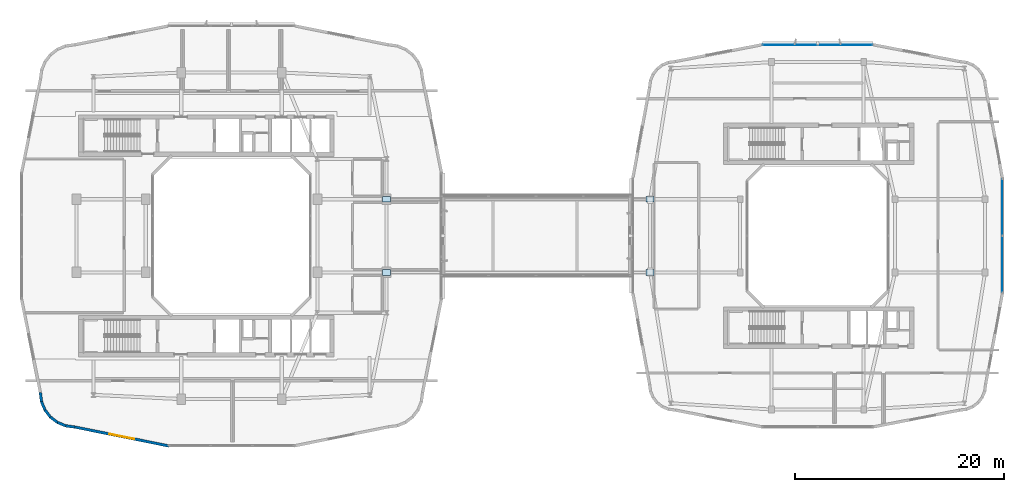
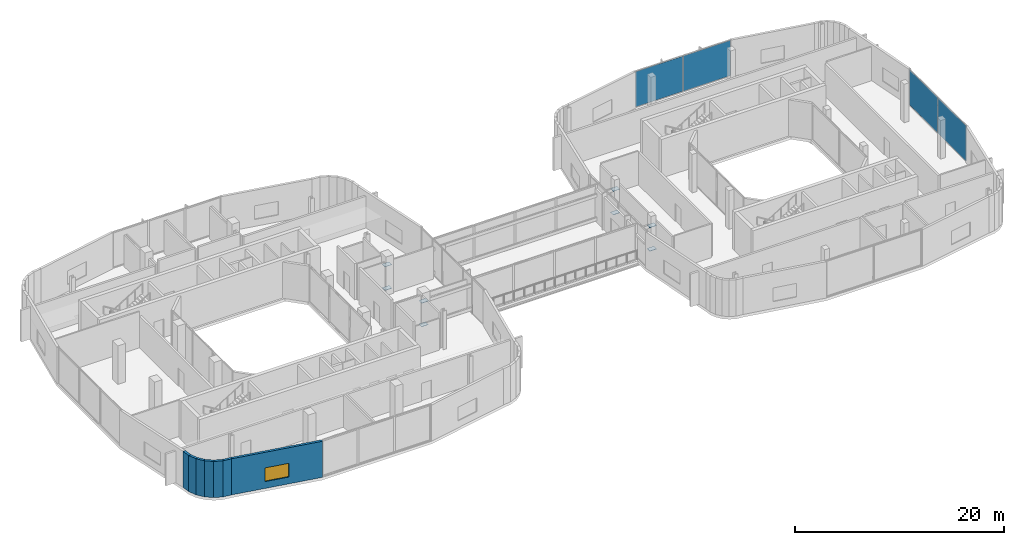
# One storey, part 13 of 24: 12 plates, 7 walls, 1 window, 1 opening, 2 elements without a shape of their own.
"""IFC4 building model written with IfcOpenShell, lengths in metres."""

from ifc_helpers import new_model, si_unit, derived_unit, direction, frame, frame_2d, origin, origin_2d, place, context, subcontext, project, spatial, rectangle, extrude, material, layer, layer_set, type_object, element, fill, aggregate, save


model = new_model("IFC4")

# Units and contexts
model_context = context("Model", 3, precision=1e-05, world=origin(), true_north=direction((0.0, 1.0)))
body_context = subcontext(model_context, "Body", "Model", "MODEL_VIEW")
ifc_project = project(units=[si_unit("LENGTHUNIT", "METRE"), si_unit("AREAUNIT", "SQUARE_METRE"), si_unit("VOLUMEUNIT", "CUBIC_METRE"), si_unit("PLANEANGLEUNIT", "RADIAN"), si_unit("MASSUNIT", "GRAM", prefix="KILO"), derived_unit("THERMALTRANSMITTANCEUNIT", [(si_unit("POWERUNIT", "WATT"), 1), (si_unit("LENGTHUNIT", "METRE"), -2), (si_unit("THERMODYNAMICTEMPERATUREUNIT", "KELVIN"), -1)])], contexts=[model_context])

# Site, building, storey
site_placement = place(None, origin())
site = spatial("IfcSite", under=ifc_project, at=site_placement, CompositionType="ELEMENT")
building_placement = place(site_placement, origin())
building = spatial("IfcBuilding", under=site, at=building_placement, Name="Kivonza Crest Hotel", CompositionType="ELEMENT")
storey_placement = place(building_placement, frame((0.0, 0.0, 119.5)))
storey = spatial("IfcBuildingStorey", under=building, at=storey_placement, Name="L32", CompositionType="ELEMENT", Elevation=119.5)

# Curtain wall, plates
ifc_material_1 = material(Name="Anodised bronze aluminium and low-E double glazing", Category="aluminium")
ifc_layer_1 = layer(ifc_material_1, 0.179931640625)
ifc_layer_set_1 = layer_set([ifc_layer_1], Name="Anodised bronze aluminium and low-E double glazing")
curtain_wall_type = type_object("IfcCurtainWallType", Name="CW-SYS-4", PredefinedType="NOTDEFINED", material=ifc_layer_set_1)
curtain_wall_1_placement = place(storey_placement, origin())
curtain_wall_1 = element("IfcCurtainWall", 1, at=curtain_wall_1_placement, inside=storey, type_object=curtain_wall_type, Name="L32 unitised curtain wall CW-T2-L32-17", PredefinedType="NOTDEFINED")
ifc_material_2 = material(Name="Solar-control low-E double glazing", Category="glass")
ifc_layer_2 = layer(ifc_material_2, 0.028076171875)
ifc_layer_set_2 = layer_set([ifc_layer_2], Name="Solar-control low-E double glazing")
plate_type_1 = type_object("IfcPlateType", Name="CW-PNL-28", PredefinedType="CURTAIN_PANEL", material=ifc_layer_set_2)
plate_1_placement = place(storey_placement, frame((94.639892578125, 22.2763671875, 0.06494140625), z_axis=(0.0, 0.0, 1.0), x_axis=(0.0, 1.0, 0.0)))
plate_1 = element("IfcPlate", 2, at=plate_1_placement, type_object=plate_type_1, Name="CW-4 panel 1.1", PredefinedType="CURTAIN_PANEL", context=body_context, shape_type="SweptSolid", body=[
    extrude(rectangle(XDim=5.382568359375, YDim=0.028076171875, at=origin_2d()), origin(), (0.0, 0.0, 1.0), 4.1201171875),
])
plate_2_placement = place(storey_placement, frame((94.639892578125, 27.7236328125, 0.06494140625), z_axis=(0.0, 0.0, 1.0), x_axis=(0.0, 1.0, 0.0)))
plate_2 = element("IfcPlate", 3, at=plate_2_placement, type_object=plate_type_1, Name="CW-4 panel 2.1", PredefinedType="CURTAIN_PANEL", context=body_context, shape_type="SweptSolid", body=[
    extrude(rectangle(XDim=5.382568359375, YDim=0.028076171875, at=origin_2d()), origin(), (0.0, 0.0, 1.0), 4.1201171875),
])
aggregate(curtain_wall_1, [plate_1, plate_2])

curtain_wall_2_placement = place(storey_placement, origin())
curtain_wall_2 = element("IfcCurtainWall", 4, at=curtain_wall_2_placement, inside=storey, type_object=curtain_wall_type, Name="L32 unitised curtain wall CW-T2-L32-26", PredefinedType="NOTDEFINED")
plate_3_placement = place(storey_placement, frame((79.6337890625, 43.239990234375, 0.06494140625), z_axis=(0.0, 0.0, 1.0), x_axis=(-1.0, 0.0, 0.0)))
plate_3 = element("IfcPlate", 5, at=plate_3_placement, type_object=plate_type_1, Name="CW-4 panel 1.1", PredefinedType="CURTAIN_PANEL", context=body_context, shape_type="SweptSolid", body=[
    extrude(rectangle(XDim=5.202392578125, YDim=0.028076171875, at=origin_2d()), origin(), (0.0, 0.0, 1.0), 4.1201171875),
])
plate_4_placement = place(storey_placement, frame((74.3662109375, 43.239990234375, 0.06494140625), z_axis=(0.0, 0.0, 1.0), x_axis=(-1.0, 0.0, 0.0)))
plate_4 = element("IfcPlate", 6, at=plate_4_placement, type_object=plate_type_1, Name="CW-4 panel 2.1", PredefinedType="CURTAIN_PANEL", context=body_context, shape_type="SweptSolid", body=[
    extrude(rectangle(XDim=5.202392578125, YDim=0.028076171875, at=origin_2d()), origin(), (0.0, 0.0, 1.0), 4.1201171875),
])
aggregate(curtain_wall_2, [plate_3, plate_4])

# Plates
ifc_material_3 = material(Name="Steel S355", Category="steel")
ifc_layer_3 = layer(ifc_material_3, 0.030029296875)
ifc_layer_set_3 = layer_set([ifc_layer_3], Name="Steel S355")
plate_type_2 = type_object("IfcPlateType", Name="PL-NODE-BR1", PredefinedType="SHEET", material=ifc_layer_set_3)
for number, where, z_axis, x_axis, name in (
    (7, (35.800048828125, 21.5, 0.43505859375), (0.0, 0.0, 1.0), (1.0, 0.0, 0.0), "ND-BR1 node gusset and end-cap plate L32 157"),
    (8, (61.0, 21.5, 0.43505859375), (0.0, 0.0, 1.0), (1.0, 0.0, 0.0), "ND-BR1 node gusset and end-cap plate L32 158"),
    (9, (35.800048828125, 21.5, 3.18505859375), (0.0, 0.0, 1.0), (1.0, 0.0, 0.0), "ND-BR1 node gusset and end-cap plate L32 159"),
    (10, (61.0, 21.5, 3.18505859375), (0.0, 0.0, 1.0), (1.0, 0.0, 0.0), "ND-BR1 node gusset and end-cap plate L32 160"),
    (11, (35.800048828125, 28.5, 0.43505859375), (0.0, 0.0, 1.0), (1.0, 0.0, 0.0), "ND-BR1 node gusset and end-cap plate L32 161"),
    (12, (61.0, 28.5, 0.43505859375), (0.0, 0.0, 1.0), (1.0, 0.0, 0.0), "ND-BR1 node gusset and end-cap plate L32 162"),
    (13, (35.800048828125, 28.5, 3.18505859375), (0.0, 0.0, 1.0), (1.0, 0.0, 0.0), "ND-BR1 node gusset and end-cap plate L32 163"),
    (14, (61.0, 28.5, 3.18505859375), (0.0, 0.0, 1.0), (1.0, 0.0, 0.0), "ND-BR1 node gusset and end-cap plate L32 164"),
):
    element("IfcPlate", number, at=place(storey_placement, frame(where, z_axis=z_axis, x_axis=x_axis)), inside=storey, type_object=plate_type_2, Name=name, PredefinedType="SHEET", context=body_context, shape_type="SweptSolid", body=[
        extrude(rectangle(XDim=0.760009765625, YDim=0.5400390625, at=origin_2d()), origin(), (0.0, 0.0, 1.0), 0.030029296875),
    ])

# Walls
ifc_material_4 = material(Name="Precast concrete C40/50", Category="concrete")
ifc_layer_4 = layer(ifc_material_4, 0.260009765625)
ifc_layer_set_4 = layer_set([ifc_layer_4], Name="Precast concrete C40/50")
wall_type = type_object("IfcWallType", Name="WL-EXT-260", PredefinedType="STANDARD", material=ifc_layer_set_4)
wall_1_placement = place(storey_placement, frame((2.72802734375, 10.02490234375, 0.0), z_axis=(0.0, 0.0, 1.0), x_axis=(0.130953706898, -0.991388484223, 0.0)))
element("IfcWall", 15, at=wall_1_placement, inside=storey, type_object=wall_type, Name="L32 T1 exterior insulated wall 1", PredefinedType="STANDARD", context=body_context, shape_type="SweptSolid", body=[
    extrude(rectangle(XDim=0.885498046875, YDim=0.260009765625, at=frame_2d((0.44287109375, 0.0))), origin(), (0.0, 0.0, 1.0), 4.219970703125),
])
wall_2_placement = place(storey_placement, frame((2.825927734375, 9.193115234375, 0.0), z_axis=(0.0, 0.0, 1.0), x_axis=(0.383290660547, -0.923627776508, 0.0)))
element("IfcWall", 16, at=wall_2_placement, inside=storey, type_object=wall_type, Name="L32 T1 exterior insulated wall 2", PredefinedType="STANDARD", context=body_context, shape_type="SweptSolid", body=[
    extrude(rectangle(XDim=0.9033203125, YDim=0.260009765625, at=frame_2d((0.45166015625, 0.0))), origin(), (0.0, 0.0, 1.0), 4.219970703125),
])
wall_3_placement = place(storey_placement, frame((3.14404296875, 8.39892578125, 0.0), z_axis=(0.0, 0.0, 1.0), x_axis=(0.608624690463, -0.793458244748, 0.0)))
element("IfcWall", 17, at=wall_3_placement, inside=storey, type_object=wall_type, Name="L32 T1 exterior insulated wall 3", PredefinedType="STANDARD", context=body_context, shape_type="SweptSolid", body=[
    extrude(rectangle(XDim=0.902099609375, YDim=0.260009765625, at=frame_2d((0.451171875, 0.0))), origin(), (0.0, 0.0, 1.0), 4.219970703125),
])
wall_4_placement = place(storey_placement, frame((3.655029296875, 7.714111328125, 0.0), z_axis=(0.0, 0.0, 1.0), x_axis=(0.793558456666, -0.608494022858, 0.0)))
element("IfcWall", 18, at=wall_4_placement, inside=storey, type_object=wall_type, Name="L32 T1 exterior insulated wall 4", PredefinedType="STANDARD", context=body_context, shape_type="SweptSolid", body=[
    extrude(rectangle(XDim=0.90234375, YDim=0.260009765625, at=frame_2d((0.451171875, 0.0))), origin(), (0.0, 0.0, 1.0), 4.219970703125),
])
wall_5_placement = place(storey_placement, frame((4.326904296875, 7.18603515625, 0.0), z_axis=(0.0, 0.0, 1.0), x_axis=(0.923683767999, -0.383155708213, 0.0)))
element("IfcWall", 19, at=wall_5_placement, inside=storey, type_object=wall_type, Name="L32 T1 exterior insulated wall 5", PredefinedType="STANDARD", context=body_context, shape_type="SweptSolid", body=[
    extrude(rectangle(XDim=0.90283203125, YDim=0.260009765625, at=frame_2d((0.451416015625, 0.0))), origin(), (0.0, 0.0, 1.0), 4.219970703125),
])
wall_6_placement = place(storey_placement, frame((5.112060546875, 6.847900390625, 0.0), z_axis=(0.0, 0.0, 1.0), x_axis=(0.991487658083, -0.130200706103, 0.0)))
element("IfcWall", 20, at=wall_6_placement, inside=storey, type_object=wall_type, Name="L32 T1 exterior insulated wall 6", PredefinedType="STANDARD", context=body_context, shape_type="SweptSolid", body=[
    extrude(rectangle(XDim=0.920654296875, YDim=0.260009765625, at=frame_2d((0.46044921875, 0.0))), origin(), (0.0, 0.0, 1.0), 4.219970703125),
])

# Wall, opening, window
wall_7_placement = place(storey_placement, frame((6.01806640625, 6.72900390625, 0.0), z_axis=(0.0, 0.0, 1.0), x_axis=(0.980315963543, -0.197435082048, 0.0)))
wall_7 = element("IfcWall", 21, at=wall_7_placement, inside=storey, type_object=wall_type, Name="L32 T1 exterior insulated wall 7", PredefinedType="STANDARD", context=body_context, shape_type="SweptSolid", body=[
    extrude(rectangle(XDim=9.1826171875, YDim=0.260009765625, at=frame_2d((4.59130859375, 0.0))), origin(), (0.0, 0.0, 1.0), 4.219970703125),
])
opening_placement = place(wall_7_placement, frame((3.39111328125, 0.0, 0.800048828125)))
opening = element("IfcOpeningElement", 22, at=opening_placement, cuts=wall_7, Name="Opening WN-05", PredefinedType="OPENING", context=body_context, shape_type="SweptSolid", body=[
    extrude(rectangle(XDim=2.39990234375, YDim=1.60009765625, at=frame_2d((1.199951171875, 0.800048828125))), frame((0.0, 0.14013671875, 0.0), z_axis=(0.0, -1.0, 0.0), x_axis=(1.0, 0.0, 0.0)), (0.0, 0.0, 1.0), 0.280029296875),
])
ifc_material_5 = material(Name="Thermally broken bronze aluminium and low-E double glazing", Category="aluminium")
window_type = type_object("IfcWindowType", Name="WN-240x160", PartitioningType="TRIPLE_PANEL_VERTICAL", PredefinedType="WINDOW", material=ifc_material_5)
window_placement = place(opening_placement, origin())
window = element("IfcWindow", 23, at=window_placement, inside=storey, type_object=window_type, Name="L32 T1 facade window 7", OverallHeight=1.60009765625, OverallWidth=2.39990234375, PartitioningType="SINGLE_PANEL", PredefinedType="WINDOW", context=body_context, shape_type="SweptSolid", body=[
    extrude(rectangle(XDim=2.39990234375, YDim=1.60009765625, at=frame_2d((1.199951171875, 0.800048828125))), frame((0.0, 0.030029296875, 0.0), z_axis=(0.0, -1.0, 0.0), x_axis=(1.0, 0.0, 0.0)), (0.0, 0.0, 1.0), 0.06005859375),
])
fill(opening, window)

save(model, "model.ifc")
